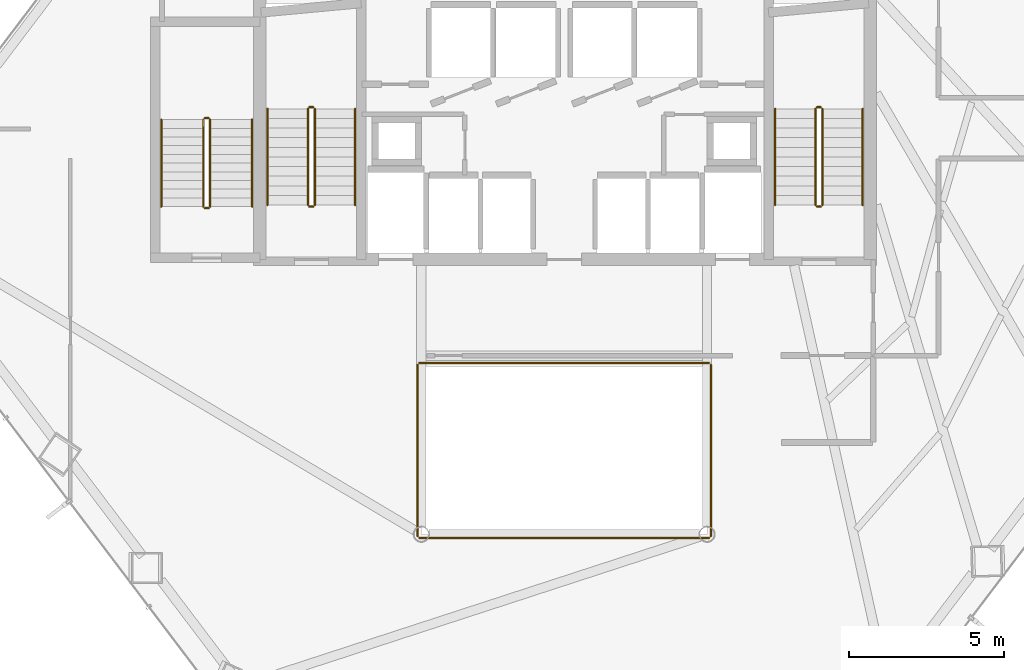
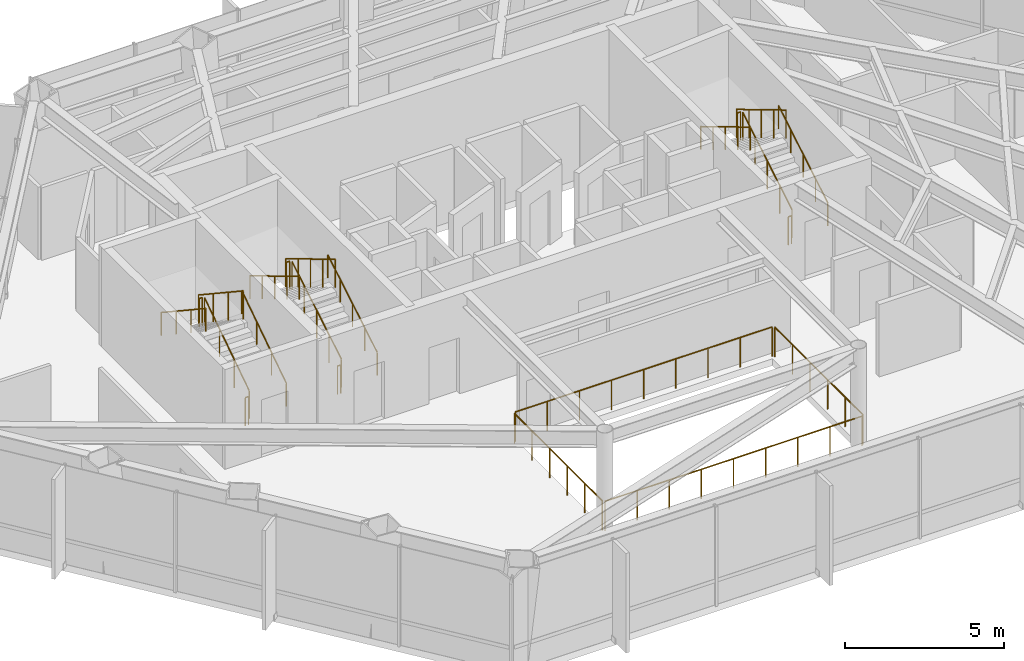
# One storey, part 27 of 27: 22 railings.
"""IFC4 building model written with IfcOpenShell, lengths in metres."""

from ifc_helpers import new_model, si_unit, direction, frame, origin, origin_2d, place, context, subcontext, project, spatial, circle, extrude, material, type_object, element, save


model = new_model("IFC4")

# Units and contexts
model_context = context("Model", 3, precision=1e-05, world=origin(), true_north=direction((0.0, 1.0)))
body_context = subcontext(model_context, "Body", "Model", "MODEL_VIEW")
ifc_project = project(units=[si_unit("LENGTHUNIT", "METRE"), si_unit("AREAUNIT", "SQUARE_METRE"), si_unit("VOLUMEUNIT", "CUBIC_METRE"), si_unit("PLANEANGLEUNIT", "RADIAN"), si_unit("MASSUNIT", "GRAM", prefix="KILO")], contexts=[model_context])

# Site, building, storey
site_placement = place(None, origin())
site = spatial("IfcSite", under=ifc_project, at=site_placement, CompositionType="ELEMENT")
building_placement = place(site_placement, origin())
building = spatial("IfcBuilding", under=site, at=building_placement, Name="Zarrinselat Tower", CompositionType="ELEMENT")
storey_placement = place(building_placement, frame((0.0, 0.0, 47.93994140625)))
storey = spatial("IfcBuildingStorey", under=building, at=storey_placement, Name="L11", CompositionType="ELEMENT", Elevation=47.93994140625)

# Railings
ifc_material_1 = material(Name="Double Low-E Laminated Solar Glass", Category="glass")
railing_type_1 = type_object("IfcRailingType", Name="RLG-ATRIUM-BAL", PredefinedType="BALUSTRADE", material=ifc_material_1)
railing_1_placement = place(storey_placement, frame((33.739990234375, 24.280029296875, 0.0)))
element("IfcRailing", 1, at=railing_1_placement, inside=storey, type_object=railing_type_1, Name="L11 Atrium Void Glass Balustrade S", PredefinedType="BALUSTRADE", context=body_context, shape_type="SweptSolid", body=[
    extrude(circle(Radius=0.02392578125, at=origin_2d()), frame((0.0, 0.0, 1.1259765625), z_axis=(1.0, 0.0, 0.0), x_axis=(0.0, 1.0, 0.0)), (0.0, 0.0, 1.0), 9.320068359375),
    extrude(circle(Radius=0.02099609375, at=origin_2d()), origin(), (0.0, 0.0, 1.0), 1.099853515625),
    extrude(circle(Radius=0.02099609375, at=origin_2d()), frame((1.1650390625, 0.0, 0.0)), (0.0, 0.0, 1.0), 1.099853515625),
    extrude(circle(Radius=0.02099609375, at=origin_2d()), frame((2.330078125, 0.0, 0.0)), (0.0, 0.0, 1.0), 1.099853515625),
    extrude(circle(Radius=0.02099609375, at=origin_2d()), frame((3.4951171875, 0.0, 0.0)), (0.0, 0.0, 1.0), 1.099853515625),
    extrude(circle(Radius=0.02099609375, at=origin_2d()), frame((4.66015625, 0.0, 0.0)), (0.0, 0.0, 1.0), 1.099853515625),
    extrude(circle(Radius=0.02099609375, at=origin_2d()), frame((5.824951171875, 0.0, 0.0)), (0.0, 0.0, 1.0), 1.099853515625),
    extrude(circle(Radius=0.02099609375, at=origin_2d()), frame((6.989990234375, 0.0, 0.0)), (0.0, 0.0, 1.0), 1.099853515625),
    extrude(circle(Radius=0.02099609375, at=origin_2d()), frame((8.155029296875, 0.0, 0.0)), (0.0, 0.0, 1.0), 1.099853515625),
    extrude(circle(Radius=0.02099609375, at=origin_2d()), frame((9.320068359375, 0.0, 0.0)), (0.0, 0.0, 1.0), 1.099853515625),
])
railing_2_placement = place(storey_placement, frame((43.1201171875, 24.340087890625, 0.0)))
element("IfcRailing", 2, at=railing_2_placement, inside=storey, type_object=railing_type_1, Name="L11 Atrium Void Glass Balustrade E", PredefinedType="BALUSTRADE", context=body_context, shape_type="SweptSolid", body=[
    extrude(circle(Radius=0.02392578125, at=origin_2d()), frame((0.0, 0.0, 1.1259765625), z_axis=(0.0, 1.0, 0.0), x_axis=(-1.0, 0.0, 0.0)), (0.0, 0.0, 1.0), 5.52001953125),
    extrude(circle(Radius=0.02099609375, at=origin_2d()), origin(), (0.0, 0.0, 1.0), 1.099853515625),
    extrude(circle(Radius=0.02099609375, at=origin_2d()), frame((0.0, 1.10400390625, 0.0)), (0.0, 0.0, 1.0), 1.099853515625),
    extrude(circle(Radius=0.02099609375, at=origin_2d()), frame((0.0, 2.2080078125, 0.0)), (0.0, 0.0, 1.0), 1.099853515625),
    extrude(circle(Radius=0.02099609375, at=origin_2d()), frame((0.0, 3.31201171875, 0.0)), (0.0, 0.0, 1.0), 1.099853515625),
    extrude(circle(Radius=0.02099609375, at=origin_2d()), frame((0.0, 4.416015625, 0.0)), (0.0, 0.0, 1.0), 1.099853515625),
    extrude(circle(Radius=0.02099609375, at=origin_2d()), frame((0.0, 5.52001953125, 0.0)), (0.0, 0.0, 1.0), 1.099853515625),
])
railing_3_placement = place(storey_placement, frame((43.06005859375, 29.919921875, 0.0)))
element("IfcRailing", 3, at=railing_3_placement, inside=storey, type_object=railing_type_1, Name="L11 Atrium Void Glass Balustrade N", PredefinedType="BALUSTRADE", context=body_context, shape_type="SweptSolid", body=[
    extrude(circle(Radius=0.02392578125, at=origin_2d()), frame((0.0, 0.0, 1.1259765625), z_axis=(-1.0, 0.0, 0.0), x_axis=(0.0, -1.0, 0.0)), (0.0, 0.0, 1.0), 9.320068359375),
    extrude(circle(Radius=0.02099609375, at=origin_2d()), origin(), (0.0, 0.0, 1.0), 1.099853515625),
    extrude(circle(Radius=0.02099609375, at=origin_2d()), frame((-1.1650390625, 0.0, 0.0)), (0.0, 0.0, 1.0), 1.099853515625),
    extrude(circle(Radius=0.02099609375, at=origin_2d()), frame((-2.330078125, 0.0, 0.0)), (0.0, 0.0, 1.0), 1.099853515625),
    extrude(circle(Radius=0.02099609375, at=origin_2d()), frame((-3.4951171875, 0.0, 0.0)), (0.0, 0.0, 1.0), 1.099853515625),
    extrude(circle(Radius=0.02099609375, at=origin_2d()), frame((-4.66015625, 0.0, 0.0)), (0.0, 0.0, 1.0), 1.099853515625),
    extrude(circle(Radius=0.02099609375, at=origin_2d()), frame((-5.824951171875, 0.0, 0.0)), (0.0, 0.0, 1.0), 1.099853515625),
    extrude(circle(Radius=0.02099609375, at=origin_2d()), frame((-6.989990234375, 0.0, 0.0)), (0.0, 0.0, 1.0), 1.099853515625),
    extrude(circle(Radius=0.02099609375, at=origin_2d()), frame((-8.155029296875, 0.0, 0.0)), (0.0, 0.0, 1.0), 1.099853515625),
    extrude(circle(Radius=0.02099609375, at=origin_2d()), frame((-9.320068359375, 0.0, 0.0)), (0.0, 0.0, 1.0), 1.099853515625),
])
railing_4_placement = place(storey_placement, frame((33.679931640625, 29.860107421875, 0.0)))
element("IfcRailing", 4, at=railing_4_placement, inside=storey, type_object=railing_type_1, Name="L11 Atrium Void Glass Balustrade W", PredefinedType="BALUSTRADE", context=body_context, shape_type="SweptSolid", body=[
    extrude(circle(Radius=0.02392578125, at=origin_2d()), frame((0.0, 0.0, 1.1259765625), z_axis=(0.0, -1.0, 0.0), x_axis=(1.0, 0.0, 0.0)), (0.0, 0.0, 1.0), 5.52001953125),
    extrude(circle(Radius=0.02099609375, at=origin_2d()), origin(), (0.0, 0.0, 1.0), 1.099853515625),
    extrude(circle(Radius=0.02099609375, at=origin_2d()), frame((0.0, -1.10400390625, 0.0)), (0.0, 0.0, 1.0), 1.099853515625),
    extrude(circle(Radius=0.02099609375, at=origin_2d()), frame((0.0, -2.2080078125, 0.0)), (0.0, 0.0, 1.0), 1.099853515625),
    extrude(circle(Radius=0.02099609375, at=origin_2d()), frame((0.0, -3.31201171875, 0.0)), (0.0, 0.0, 1.0), 1.099853515625),
    extrude(circle(Radius=0.02099609375, at=origin_2d()), frame((0.0, -4.416015625, 0.0)), (0.0, 0.0, 1.0), 1.099853515625),
    extrude(circle(Radius=0.02099609375, at=origin_2d()), frame((0.0, -5.52001953125, 0.0)), (0.0, 0.0, 1.0), 1.099853515625),
])
ifc_material_2 = material(Name="Steel S355J2", Category="steel")
railing_type_2 = type_object("IfcRailingType", Name="RLG-STAIR-GUARD", PredefinedType="GUARDRAIL", material=ifc_material_2)
railing_5_placement = place(storey_placement, frame((30.3701171875, 35.0, 0.185546875)))
element("IfcRailing", 5, at=railing_5_placement, inside=storey, type_object=railing_type_2, Name="L11 ST-1 stair guard 1", PredefinedType="GUARDRAIL", context=body_context, shape_type="SweptSolid", body=[
    extrude(circle(Radius=0.02392578125, at=origin_2d()), frame((0.0, 0.0, 1.076171875), z_axis=(0.0, 0.858171985069, 0.513362293163), x_axis=(-1.0, 0.0, 0.0)), (0.0, 0.0, 1.0), 3.612548828125),
    extrude(circle(Radius=0.02099609375, at=origin_2d()), origin(), (0.0, 0.0, 1.0), 1.050048828125),
    extrude(circle(Radius=0.02099609375, at=origin_2d()), frame((0.0, 0.77490234375, 0.463623046875)), (0.0, 0.0, 1.0), 1.050048828125),
    extrude(circle(Radius=0.02099609375, at=origin_2d()), frame((0.0, 1.550048828125, 0.92724609375)), (0.0, 0.0, 1.0), 1.050048828125),
    extrude(circle(Radius=0.02099609375, at=origin_2d()), frame((0.0, 2.3251953125, 1.390869140625)), (0.0, 0.0, 1.0), 1.050048828125),
    extrude(circle(Radius=0.02099609375, at=origin_2d()), frame((0.0, 3.10009765625, 1.8544921875)), (0.0, 0.0, 1.0), 1.050048828125),
])
railing_6_placement = place(storey_placement, frame((30.320068359375, 38.14990234375, 2.0400390625)))
element("IfcRailing", 6, at=railing_6_placement, inside=storey, type_object=railing_type_2, Name="L11 ST-1 stair guard 2", PredefinedType="GUARDRAIL", context=body_context, shape_type="SweptSolid", body=[
    extrude(circle(Radius=0.02392578125, at=origin_2d()), frame((0.0, 0.0, 1.076171875), z_axis=(-1.0, 0.0, 0.0), x_axis=(0.0, -1.0, 0.0)), (0.0, 0.0, 1.0), 0.1201171875),
    extrude(circle(Radius=0.02099609375, at=origin_2d()), origin(), (0.0, 0.0, 1.0), 1.050048828125),
    extrude(circle(Radius=0.02099609375, at=origin_2d()), frame((-0.1201171875, 0.0, 0.0)), (0.0, 0.0, 1.0), 1.050048828125),
])
railing_7_placement = place(storey_placement, frame((30.14990234375, 38.10009765625, 2.2255859375)))
element("IfcRailing", 7, at=railing_7_placement, inside=storey, type_object=railing_type_2, Name="L11 ST-1 stair guard 3", PredefinedType="GUARDRAIL", context=body_context, shape_type="SweptSolid", body=[
    extrude(circle(Radius=0.02392578125, at=origin_2d()), frame((0.0, 0.0, 1.076171875), z_axis=(0.0, -0.858171985069, 0.513362293163), x_axis=(1.0, 0.0, 0.0)), (0.0, 0.0, 1.0), 3.612548828125),
    extrude(circle(Radius=0.02099609375, at=origin_2d()), origin(), (0.0, 0.0, 1.0), 1.050048828125),
    extrude(circle(Radius=0.02099609375, at=origin_2d()), frame((0.0, -0.77490234375, 0.463623046875)), (0.0, 0.0, 1.0), 1.050048828125),
    extrude(circle(Radius=0.02099609375, at=origin_2d()), frame((0.0, -1.550048828125, 0.92724609375)), (0.0, 0.0, 1.0), 1.050048828125),
    extrude(circle(Radius=0.02099609375, at=origin_2d()), frame((0.0, -2.3251953125, 1.390869140625)), (0.0, 0.0, 1.0), 1.050048828125),
    extrude(circle(Radius=0.02099609375, at=origin_2d()), frame((0.0, -3.10009765625, 1.8544921875)), (0.0, 0.0, 1.0), 1.050048828125),
])
railing_8_placement = place(storey_placement, frame((30.320068359375, 34.949951171875, 0.0)))
element("IfcRailing", 8, at=railing_8_placement, inside=storey, type_object=railing_type_2, Name="L11 ST-1 stair guard 4", PredefinedType="GUARDRAIL", context=body_context, shape_type="SweptSolid", body=[
    extrude(circle(Radius=0.02392578125, at=origin_2d()), frame((0.0, 0.0, 1.076171875), z_axis=(-1.0, 0.0, 0.0), x_axis=(0.0, -1.0, 0.0)), (0.0, 0.0, 1.0), 0.1201171875),
    extrude(circle(Radius=0.02099609375, at=origin_2d()), origin(), (0.0, 0.0, 1.0), 1.050048828125),
    extrude(circle(Radius=0.02099609375, at=origin_2d()), frame((-0.1201171875, 0.0, 0.0)), (0.0, 0.0, 1.0), 1.050048828125),
])
railing_9_placement = place(storey_placement, frame((46.7099609375, 35.0, 0.185546875)))
element("IfcRailing", 9, at=railing_9_placement, inside=storey, type_object=railing_type_2, Name="L11 ST-2 stair guard 1", PredefinedType="GUARDRAIL", context=body_context, shape_type="SweptSolid", body=[
    extrude(circle(Radius=0.02392578125, at=origin_2d()), frame((0.0, 0.0, 1.076171875), z_axis=(0.0, 0.858171985069, 0.513362293163), x_axis=(-1.0, 0.0, 0.0)), (0.0, 0.0, 1.0), 3.612548828125),
    extrude(circle(Radius=0.02099609375, at=origin_2d()), origin(), (0.0, 0.0, 1.0), 1.050048828125),
    extrude(circle(Radius=0.02099609375, at=origin_2d()), frame((0.0, 0.77490234375, 0.463623046875)), (0.0, 0.0, 1.0), 1.050048828125),
    extrude(circle(Radius=0.02099609375, at=origin_2d()), frame((0.0, 1.550048828125, 0.92724609375)), (0.0, 0.0, 1.0), 1.050048828125),
    extrude(circle(Radius=0.02099609375, at=origin_2d()), frame((0.0, 2.3251953125, 1.390869140625)), (0.0, 0.0, 1.0), 1.050048828125),
    extrude(circle(Radius=0.02099609375, at=origin_2d()), frame((0.0, 3.10009765625, 1.8544921875)), (0.0, 0.0, 1.0), 1.050048828125),
])
railing_10_placement = place(storey_placement, frame((46.659912109375, 38.14990234375, 2.0400390625)))
element("IfcRailing", 10, at=railing_10_placement, inside=storey, type_object=railing_type_2, Name="L11 ST-2 stair guard 2", PredefinedType="GUARDRAIL", context=body_context, shape_type="SweptSolid", body=[
    extrude(circle(Radius=0.02392578125, at=origin_2d()), frame((0.0, 0.0, 1.076171875), z_axis=(-1.0, 0.0, 0.0), x_axis=(0.0, -1.0, 0.0)), (0.0, 0.0, 1.0), 0.119873046875),
    extrude(circle(Radius=0.02099609375, at=origin_2d()), origin(), (0.0, 0.0, 1.0), 1.050048828125),
    extrude(circle(Radius=0.02099609375, at=origin_2d()), frame((-0.119873046875, 0.0, 0.0)), (0.0, 0.0, 1.0), 1.050048828125),
])
railing_11_placement = place(storey_placement, frame((46.489990234375, 38.10009765625, 2.2255859375)))
element("IfcRailing", 11, at=railing_11_placement, inside=storey, type_object=railing_type_2, Name="L11 ST-2 stair guard 3", PredefinedType="GUARDRAIL", context=body_context, shape_type="SweptSolid", body=[
    extrude(circle(Radius=0.02392578125, at=origin_2d()), frame((0.0, 0.0, 1.076171875), z_axis=(0.0, -0.858171985069, 0.513362293163), x_axis=(1.0, 0.0, 0.0)), (0.0, 0.0, 1.0), 3.612548828125),
    extrude(circle(Radius=0.02099609375, at=origin_2d()), origin(), (0.0, 0.0, 1.0), 1.050048828125),
    extrude(circle(Radius=0.02099609375, at=origin_2d()), frame((0.0, -0.77490234375, 0.463623046875)), (0.0, 0.0, 1.0), 1.050048828125),
    extrude(circle(Radius=0.02099609375, at=origin_2d()), frame((0.0, -1.550048828125, 0.92724609375)), (0.0, 0.0, 1.0), 1.050048828125),
    extrude(circle(Radius=0.02099609375, at=origin_2d()), frame((0.0, -2.3251953125, 1.390869140625)), (0.0, 0.0, 1.0), 1.050048828125),
    extrude(circle(Radius=0.02099609375, at=origin_2d()), frame((0.0, -3.10009765625, 1.8544921875)), (0.0, 0.0, 1.0), 1.050048828125),
])
railing_12_placement = place(storey_placement, frame((46.659912109375, 34.949951171875, 0.0)))
element("IfcRailing", 12, at=railing_12_placement, inside=storey, type_object=railing_type_2, Name="L11 ST-2 stair guard 4", PredefinedType="GUARDRAIL", context=body_context, shape_type="SweptSolid", body=[
    extrude(circle(Radius=0.02392578125, at=origin_2d()), frame((0.0, 0.0, 1.076171875), z_axis=(-1.0, 0.0, 0.0), x_axis=(0.0, -1.0, 0.0)), (0.0, 0.0, 1.0), 0.119873046875),
    extrude(circle(Radius=0.02099609375, at=origin_2d()), origin(), (0.0, 0.0, 1.0), 1.050048828125),
    extrude(circle(Radius=0.02099609375, at=origin_2d()), frame((-0.119873046875, 0.0, 0.0)), (0.0, 0.0, 1.0), 1.050048828125),
])
railing_13_placement = place(storey_placement, frame((27.0, 34.949951171875, 0.185546875)))
element("IfcRailing", 13, at=railing_13_placement, inside=storey, type_object=railing_type_2, Name="L11 ST-3 stair guard 1", PredefinedType="GUARDRAIL", context=body_context, shape_type="SweptSolid", body=[
    extrude(circle(Radius=0.02392578125, at=origin_2d()), frame((0.0, 0.0, 1.076171875), z_axis=(0.0, 0.833724036255, 0.552181339209), x_axis=(-1.0, 0.0, 0.0)), (0.0, 0.0, 1.0), 3.3583984375),
    extrude(circle(Radius=0.02099609375, at=origin_2d()), origin(), (0.0, 0.0, 1.0), 1.050048828125),
    extrude(circle(Radius=0.02099609375, at=origin_2d()), frame((0.0, 0.933349609375, 0.6181640625)), (0.0, 0.0, 1.0), 1.050048828125),
    extrude(circle(Radius=0.02099609375, at=origin_2d()), frame((0.0, 1.86669921875, 1.236328125)), (0.0, 0.0, 1.0), 1.050048828125),
    extrude(circle(Radius=0.02099609375, at=origin_2d()), frame((0.0, 2.800048828125, 1.8544921875)), (0.0, 0.0, 1.0), 1.050048828125),
])
railing_14_placement = place(storey_placement, frame((26.949951171875, 37.800048828125, 2.0400390625)))
element("IfcRailing", 14, at=railing_14_placement, inside=storey, type_object=railing_type_2, Name="L11 ST-3 stair guard 2", PredefinedType="GUARDRAIL", context=body_context, shape_type="SweptSolid", body=[
    extrude(circle(Radius=0.02392578125, at=origin_2d()), frame((0.0, 0.0, 1.076171875), z_axis=(-1.0, 0.0, 0.0), x_axis=(0.0, -1.0, 0.0)), (0.0, 0.0, 1.0), 0.119873046875),
    extrude(circle(Radius=0.02099609375, at=origin_2d()), origin(), (0.0, 0.0, 1.0), 1.050048828125),
    extrude(circle(Radius=0.02099609375, at=origin_2d()), frame((-0.119873046875, 0.0, 0.0)), (0.0, 0.0, 1.0), 1.050048828125),
])
railing_15_placement = place(storey_placement, frame((26.780029296875, 37.75, 2.2255859375)))
element("IfcRailing", 15, at=railing_15_placement, inside=storey, type_object=railing_type_2, Name="L11 ST-3 stair guard 3", PredefinedType="GUARDRAIL", context=body_context, shape_type="SweptSolid", body=[
    extrude(circle(Radius=0.02392578125, at=origin_2d()), frame((0.0, 0.0, 1.076171875), z_axis=(0.0, -0.833724036255, 0.552181339209), x_axis=(1.0, 0.0, 0.0)), (0.0, 0.0, 1.0), 3.3583984375),
    extrude(circle(Radius=0.02099609375, at=origin_2d()), origin(), (0.0, 0.0, 1.0), 1.050048828125),
    extrude(circle(Radius=0.02099609375, at=origin_2d()), frame((0.0, -0.933349609375, 0.6181640625)), (0.0, 0.0, 1.0), 1.050048828125),
    extrude(circle(Radius=0.02099609375, at=origin_2d()), frame((0.0, -1.86669921875, 1.236328125)), (0.0, 0.0, 1.0), 1.050048828125),
    extrude(circle(Radius=0.02099609375, at=origin_2d()), frame((0.0, -2.800048828125, 1.8544921875)), (0.0, 0.0, 1.0), 1.050048828125),
])
railing_16_placement = place(storey_placement, frame((26.949951171875, 34.89990234375, 0.0)))
element("IfcRailing", 16, at=railing_16_placement, inside=storey, type_object=railing_type_2, Name="L11 ST-3 stair guard 4", PredefinedType="GUARDRAIL", context=body_context, shape_type="SweptSolid", body=[
    extrude(circle(Radius=0.02392578125, at=origin_2d()), frame((0.0, 0.0, 1.076171875), z_axis=(-1.0, 0.0, 0.0), x_axis=(0.0, -1.0, 0.0)), (0.0, 0.0, 1.0), 0.119873046875),
    extrude(circle(Radius=0.02099609375, at=origin_2d()), origin(), (0.0, 0.0, 1.0), 1.050048828125),
    extrude(circle(Radius=0.02099609375, at=origin_2d()), frame((-0.119873046875, 0.0, 0.0)), (0.0, 0.0, 1.0), 1.050048828125),
])
ifc_material_3 = material(Name="Steel S355J2", Category="steel")
railing_type_3 = type_object("IfcRailingType", Name="RLG-STAIR-HAND", PredefinedType="HANDRAIL", material=ifc_material_3)
railing_17_placement = place(storey_placement, frame((31.669921875, 35.0, 0.185546875)))
element("IfcRailing", 17, at=railing_17_placement, inside=storey, type_object=railing_type_3, Name="L11 ST-1 stair handrail 1", PredefinedType="HANDRAIL", context=body_context, shape_type="SweptSolid", body=[
    extrude(circle(Radius=0.02392578125, at=origin_2d()), frame((0.0, 0.0, 0.8759765625), z_axis=(0.0, 0.858171985069, 0.513362293163), x_axis=(-1.0, 0.0, 0.0)), (0.0, 0.0, 1.0), 3.612548828125),
    extrude(circle(Radius=0.02099609375, at=origin_2d()), origin(), (0.0, 0.0, 1.0), 0.849853515625),
    extrude(circle(Radius=0.02099609375, at=origin_2d()), frame((0.0, 0.77490234375, 0.463623046875)), (0.0, 0.0, 1.0), 0.849853515625),
    extrude(circle(Radius=0.02099609375, at=origin_2d()), frame((0.0, 1.550048828125, 0.92724609375)), (0.0, 0.0, 1.0), 0.849853515625),
    extrude(circle(Radius=0.02099609375, at=origin_2d()), frame((0.0, 2.3251953125, 1.390869140625)), (0.0, 0.0, 1.0), 0.849853515625),
    extrude(circle(Radius=0.02099609375, at=origin_2d()), frame((0.0, 3.10009765625, 1.8544921875)), (0.0, 0.0, 1.0), 0.849853515625),
])
railing_18_placement = place(storey_placement, frame((28.85009765625, 38.10009765625, 2.2255859375)))
element("IfcRailing", 18, at=railing_18_placement, inside=storey, type_object=railing_type_3, Name="L11 ST-1 stair handrail 2", PredefinedType="HANDRAIL", context=body_context, shape_type="SweptSolid", body=[
    extrude(circle(Radius=0.02392578125, at=origin_2d()), frame((0.0, 0.0, 0.8759765625), z_axis=(0.0, -0.858171985069, 0.513362293163), x_axis=(1.0, 0.0, 0.0)), (0.0, 0.0, 1.0), 3.612548828125),
    extrude(circle(Radius=0.02099609375, at=origin_2d()), origin(), (0.0, 0.0, 1.0), 0.849853515625),
    extrude(circle(Radius=0.02099609375, at=origin_2d()), frame((0.0, -0.77490234375, 0.463623046875)), (0.0, 0.0, 1.0), 0.849853515625),
    extrude(circle(Radius=0.02099609375, at=origin_2d()), frame((0.0, -1.550048828125, 0.92724609375)), (0.0, 0.0, 1.0), 0.849853515625),
    extrude(circle(Radius=0.02099609375, at=origin_2d()), frame((0.0, -2.3251953125, 1.390869140625)), (0.0, 0.0, 1.0), 0.849853515625),
    extrude(circle(Radius=0.02099609375, at=origin_2d()), frame((0.0, -3.10009765625, 1.8544921875)), (0.0, 0.0, 1.0), 0.849853515625),
])
railing_19_placement = place(storey_placement, frame((48.010009765625, 35.0, 0.185546875)))
element("IfcRailing", 19, at=railing_19_placement, inside=storey, type_object=railing_type_3, Name="L11 ST-2 stair handrail 1", PredefinedType="HANDRAIL", context=body_context, shape_type="SweptSolid", body=[
    extrude(circle(Radius=0.02392578125, at=origin_2d()), frame((0.0, 0.0, 0.8759765625), z_axis=(0.0, 0.858171985069, 0.513362293163), x_axis=(-1.0, 0.0, 0.0)), (0.0, 0.0, 1.0), 3.612548828125),
    extrude(circle(Radius=0.02099609375, at=origin_2d()), origin(), (0.0, 0.0, 1.0), 0.849853515625),
    extrude(circle(Radius=0.02099609375, at=origin_2d()), frame((0.0, 0.77490234375, 0.463623046875)), (0.0, 0.0, 1.0), 0.849853515625),
    extrude(circle(Radius=0.02099609375, at=origin_2d()), frame((0.0, 1.550048828125, 0.92724609375)), (0.0, 0.0, 1.0), 0.849853515625),
    extrude(circle(Radius=0.02099609375, at=origin_2d()), frame((0.0, 2.3251953125, 1.390869140625)), (0.0, 0.0, 1.0), 0.849853515625),
    extrude(circle(Radius=0.02099609375, at=origin_2d()), frame((0.0, 3.10009765625, 1.8544921875)), (0.0, 0.0, 1.0), 0.849853515625),
])
railing_20_placement = place(storey_placement, frame((45.18994140625, 38.10009765625, 2.2255859375)))
element("IfcRailing", 20, at=railing_20_placement, inside=storey, type_object=railing_type_3, Name="L11 ST-2 stair handrail 2", PredefinedType="HANDRAIL", context=body_context, shape_type="SweptSolid", body=[
    extrude(circle(Radius=0.02392578125, at=origin_2d()), frame((0.0, 0.0, 0.8759765625), z_axis=(0.0, -0.858171985069, 0.513362293163), x_axis=(1.0, 0.0, 0.0)), (0.0, 0.0, 1.0), 3.612548828125),
    extrude(circle(Radius=0.02099609375, at=origin_2d()), origin(), (0.0, 0.0, 1.0), 0.849853515625),
    extrude(circle(Radius=0.02099609375, at=origin_2d()), frame((0.0, -0.77490234375, 0.463623046875)), (0.0, 0.0, 1.0), 0.849853515625),
    extrude(circle(Radius=0.02099609375, at=origin_2d()), frame((0.0, -1.550048828125, 0.92724609375)), (0.0, 0.0, 1.0), 0.849853515625),
    extrude(circle(Radius=0.02099609375, at=origin_2d()), frame((0.0, -2.3251953125, 1.390869140625)), (0.0, 0.0, 1.0), 0.849853515625),
    extrude(circle(Radius=0.02099609375, at=origin_2d()), frame((0.0, -3.10009765625, 1.8544921875)), (0.0, 0.0, 1.0), 0.849853515625),
])
railing_21_placement = place(storey_placement, frame((28.35009765625, 34.949951171875, 0.185546875)))
element("IfcRailing", 21, at=railing_21_placement, inside=storey, type_object=railing_type_3, Name="L11 ST-3 stair handrail 1", PredefinedType="HANDRAIL", context=body_context, shape_type="SweptSolid", body=[
    extrude(circle(Radius=0.02392578125, at=origin_2d()), frame((0.0, 0.0, 0.8759765625), z_axis=(0.0, 0.833724036255, 0.552181339209), x_axis=(-1.0, 0.0, 0.0)), (0.0, 0.0, 1.0), 3.3583984375),
    extrude(circle(Radius=0.02099609375, at=origin_2d()), origin(), (0.0, 0.0, 1.0), 0.849853515625),
    extrude(circle(Radius=0.02099609375, at=origin_2d()), frame((0.0, 0.933349609375, 0.6181640625)), (0.0, 0.0, 1.0), 0.849853515625),
    extrude(circle(Radius=0.02099609375, at=origin_2d()), frame((0.0, 1.86669921875, 1.236328125)), (0.0, 0.0, 1.0), 0.849853515625),
    extrude(circle(Radius=0.02099609375, at=origin_2d()), frame((0.0, 2.800048828125, 1.8544921875)), (0.0, 0.0, 1.0), 0.849853515625),
])
railing_22_placement = place(storey_placement, frame((25.429931640625, 37.75, 2.2255859375)))
element("IfcRailing", 22, at=railing_22_placement, inside=storey, type_object=railing_type_3, Name="L11 ST-3 stair handrail 2", PredefinedType="HANDRAIL", context=body_context, shape_type="SweptSolid", body=[
    extrude(circle(Radius=0.02392578125, at=origin_2d()), frame((0.0, 0.0, 0.8759765625), z_axis=(0.0, -0.833724036255, 0.552181339209), x_axis=(1.0, 0.0, 0.0)), (0.0, 0.0, 1.0), 3.3583984375),
    extrude(circle(Radius=0.02099609375, at=origin_2d()), origin(), (0.0, 0.0, 1.0), 0.849853515625),
    extrude(circle(Radius=0.02099609375, at=origin_2d()), frame((0.0, -0.933349609375, 0.6181640625)), (0.0, 0.0, 1.0), 0.849853515625),
    extrude(circle(Radius=0.02099609375, at=origin_2d()), frame((0.0, -1.86669921875, 1.236328125)), (0.0, 0.0, 1.0), 0.849853515625),
    extrude(circle(Radius=0.02099609375, at=origin_2d()), frame((0.0, -2.800048828125, 1.8544921875)), (0.0, 0.0, 1.0), 0.849853515625),
])

save(model, "model.ifc")
